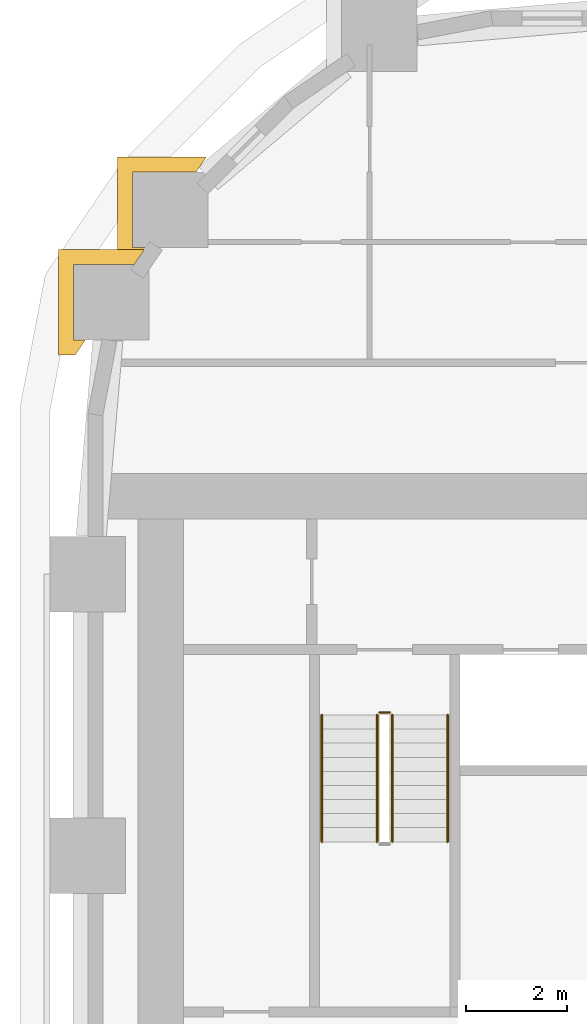
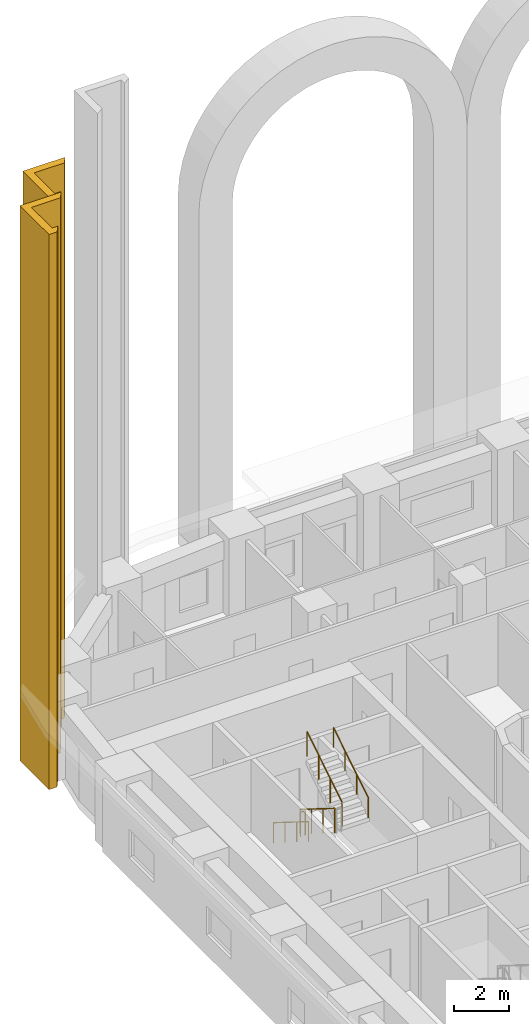
# One storey, part 19 of 21: 5 railings, 2 coverings.
"""IFC4 building model written with IfcOpenShell, lengths in metres."""

from ifc_helpers import new_model, si_unit, direction, frame, origin, origin_2d, place, context, subcontext, project, spatial, polyline, circle, outline, extrude, material, layer, layer_set, type_object, element, save


model = new_model("IFC4")

# Units and contexts
model_context = context("Model", 3, precision=1e-05, world=origin(), true_north=direction((0.0, 1.0)))
body_context = subcontext(model_context, "Body", "Model", "MODEL_VIEW")
ifc_project = project(units=[si_unit("LENGTHUNIT", "METRE"), si_unit("AREAUNIT", "SQUARE_METRE"), si_unit("VOLUMEUNIT", "CUBIC_METRE"), si_unit("PLANEANGLEUNIT", "RADIAN"), si_unit("MASSUNIT", "GRAM", prefix="KILO")], contexts=[model_context])

# Site, building, storey
site_placement = place(None, origin())
site = spatial("IfcSite", under=ifc_project, at=site_placement, CompositionType="ELEMENT")
building_placement = place(site_placement, origin())
building = spatial("IfcBuilding", under=site, at=building_placement, Name="Kiln Ring Residences", CompositionType="ELEMENT")
storey_placement = place(building_placement, frame((0.0, 0.0, 30.5)))
storey = spatial("IfcBuildingStorey", under=building, at=storey_placement, Name="L06", CompositionType="ELEMENT", Elevation=30.5)

# Railings
ifc_material_1 = material(Name="Stainless steel", Category="steel")
railing_type_1 = type_object("IfcRailingType", Name="CORE-STAIR-GUARD", PredefinedType="GUARDRAIL", material=ifc_material_1)
railing_1_placement = place(storey_placement, frame((-22.25, 8.39990234375, 0.175048828125)))
element("IfcRailing", 1, at=railing_1_placement, inside=storey, type_object=railing_type_1, Name="L06 W-STN stair guard 1", PredefinedType="GUARDRAIL", context=body_context, shape_type="SweptSolid", body=[
    extrude(circle(Radius=0.02392578125, at=origin_2d()), frame((0.0, 0.0, 1.076171875), z_axis=(0.0, -0.848007534815, 0.529984170421), x_axis=(1.0, 0.0, 0.0)), (0.0, 0.0, 1.0), 2.9716796875),
    extrude(circle(Radius=0.02099609375, at=origin_2d()), origin(), (0.0, 0.0, 1.0), 1.052001953125),
    extrude(circle(Radius=0.02099609375, at=origin_2d()), frame((0.0, -0.840087890625, 0.52490234375)), (0.0, 0.0, 1.0), 1.052001953125),
    extrude(circle(Radius=0.02099609375, at=origin_2d()), frame((0.0, -1.679931640625, 1.050048828125)), (0.0, 0.0, 1.0), 1.052001953125),
    extrude(circle(Radius=0.02099609375, at=origin_2d()), frame((0.0, -2.52001953125, 1.574951171875)), (0.0, 0.0, 1.0), 1.052001953125),
])
railing_2_placement = place(storey_placement, frame((-21.949951171875, 5.8798828125, 1.925048828125)))
element("IfcRailing", 2, at=railing_2_placement, inside=storey, type_object=railing_type_1, Name="L06 W-STN stair guard 3", PredefinedType="GUARDRAIL", context=body_context, shape_type="SweptSolid", body=[
    extrude(circle(Radius=0.02392578125, at=origin_2d()), frame((0.0, 0.0, 1.076171875), z_axis=(0.0, 0.848007534815, 0.529984170421), x_axis=(-1.0, 0.0, 0.0)), (0.0, 0.0, 1.0), 2.9716796875),
    extrude(circle(Radius=0.02099609375, at=origin_2d()), origin(), (0.0, 0.0, 1.0), 1.052001953125),
    extrude(circle(Radius=0.02099609375, at=origin_2d()), frame((0.0, 0.840087890625, 0.52490234375)), (0.0, 0.0, 1.0), 1.052001953125),
    extrude(circle(Radius=0.02099609375, at=origin_2d()), frame((0.0, 1.679931640625, 1.050048828125)), (0.0, 0.0, 1.0), 1.052001953125),
    extrude(circle(Radius=0.02099609375, at=origin_2d()), frame((0.0, 2.52001953125, 1.574951171875)), (0.0, 0.0, 1.0), 1.052001953125),
])
railing_3_placement = place(storey_placement, frame((-22.199951171875, 8.449951171875, 0.0)))
element("IfcRailing", 3, at=railing_3_placement, inside=storey, type_object=railing_type_1, Name="L06 W-STN stair guard 4", PredefinedType="GUARDRAIL", context=body_context, shape_type="SweptSolid", body=[
    extrude(circle(Radius=0.02392578125, at=origin_2d()), frame((0.0, 0.0, 1.076171875), z_axis=(1.0, 0.0, 0.0), x_axis=(0.0, 1.0, 0.0)), (0.0, 0.0, 1.0), 0.199951171875),
    extrude(circle(Radius=0.02099609375, at=origin_2d()), origin(), (0.0, 0.0, 1.0), 1.052001953125),
    extrude(circle(Radius=0.02099609375, at=origin_2d()), frame((0.199951171875, 0.0, 0.0)), (0.0, 0.0, 1.0), 1.052001953125),
])
ifc_material_2 = material(Name="Stainless steel", Category="steel")
railing_type_2 = type_object("IfcRailingType", Name="CORE-STAIR-HANDRAIL", PredefinedType="HANDRAIL", material=ifc_material_2)
railing_4_placement = place(storey_placement, frame((-23.35009765625, 8.39990234375, 0.175048828125)))
element("IfcRailing", 4, at=railing_4_placement, inside=storey, type_object=railing_type_2, Name="L06 W-STN stair handrail 1", PredefinedType="HANDRAIL", context=body_context, shape_type="SweptSolid", body=[
    extrude(circle(Radius=0.02392578125, at=origin_2d()), frame((0.0, 0.0, 0.8759765625), z_axis=(0.0, -0.848007534815, 0.529984170421), x_axis=(1.0, 0.0, 0.0)), (0.0, 0.0, 1.0), 2.9716796875),
    extrude(circle(Radius=0.02099609375, at=origin_2d()), origin(), (0.0, 0.0, 1.0), 0.851806640625),
    extrude(circle(Radius=0.02099609375, at=origin_2d()), frame((0.0, -0.840087890625, 0.52490234375)), (0.0, 0.0, 1.0), 0.851806640625),
    extrude(circle(Radius=0.02099609375, at=origin_2d()), frame((0.0, -1.679931640625, 1.050048828125)), (0.0, 0.0, 1.0), 0.851806640625),
    extrude(circle(Radius=0.02099609375, at=origin_2d()), frame((0.0, -2.52001953125, 1.574951171875)), (0.0, 0.0, 1.0), 0.851806640625),
])
railing_5_placement = place(storey_placement, frame((-20.85009765625, 5.8798828125, 1.925048828125)))
element("IfcRailing", 5, at=railing_5_placement, inside=storey, type_object=railing_type_2, Name="L06 W-STN stair handrail 2", PredefinedType="HANDRAIL", context=body_context, shape_type="SweptSolid", body=[
    extrude(circle(Radius=0.02392578125, at=origin_2d()), frame((0.0, 0.0, 0.8759765625), z_axis=(0.0, 0.848007534815, 0.529984170421), x_axis=(-1.0, 0.0, 0.0)), (0.0, 0.0, 1.0), 2.9716796875),
    extrude(circle(Radius=0.02099609375, at=origin_2d()), origin(), (0.0, 0.0, 1.0), 0.851806640625),
    extrude(circle(Radius=0.02099609375, at=origin_2d()), frame((0.0, 0.840087890625, 0.52490234375)), (0.0, 0.0, 1.0), 0.851806640625),
    extrude(circle(Radius=0.02099609375, at=origin_2d()), frame((0.0, 1.679931640625, 1.050048828125)), (0.0, 0.0, 1.0), 0.851806640625),
    extrude(circle(Radius=0.02099609375, at=origin_2d()), frame((0.0, 2.52001953125, 1.574951171875)), (0.0, 0.0, 1.0), 0.851806640625),
])

# Coverings
ifc_material_3 = material(Name="Brick masonry, dark clay brick", Category="masonry")
ifc_layer = layer(ifc_material_3, 0.300048828125)
ifc_layer_set = layer_set([ifc_layer], Name="PIER CLADDING 300")
covering_type = type_object("IfcCoveringType", Name="PIER CLADDING 300", PredefinedType="CLADDING", material=ifc_layer_set)
placement = place(storey_placement, origin())
element("IfcCovering", 6, at=placement, inside=storey, type_object=covering_type, Name="PIER CLADDING L06-L12", PredefinedType="CLADDING", context=body_context, shape_type="SweptSolid", body=[
    extrude(outline(polyline([(-25.646240234375, 19.490234375), (-27.409912109375, 19.490234375), (-27.409912109375, 17.39013671875), (-27.073486328125, 17.39013671875), (-26.869384765625, 17.690185546875), (-27.10986328125, 17.690185546875), (-27.10986328125, 19.190185546875), (-25.85009765625, 19.190185546875), (-25.646240234375, 19.490234375)])), origin(), (0.0, 0.0, 1.0), 24.5),
])
element("IfcCovering", 7, at=placement, inside=storey, type_object=covering_type, Name="PIER CLADDING L06-L12", PredefinedType="CLADDING", context=body_context, shape_type="SweptSolid", body=[
    extrude(outline(polyline([(-26.87255859375, 17.65869140625), (-28.588134765625, 17.65869140625), (-28.588134765625, 15.55859375), (-28.251708984375, 15.55859375), (-28.0478515625, 15.858642578125), (-28.2880859375, 15.858642578125), (-28.2880859375, 17.358642578125), (-27.076416015625, 17.358642578125), (-26.87255859375, 17.65869140625)])), origin(), (0.0, 0.0, 1.0), 24.5),
])

save(model, "model.ifc")
